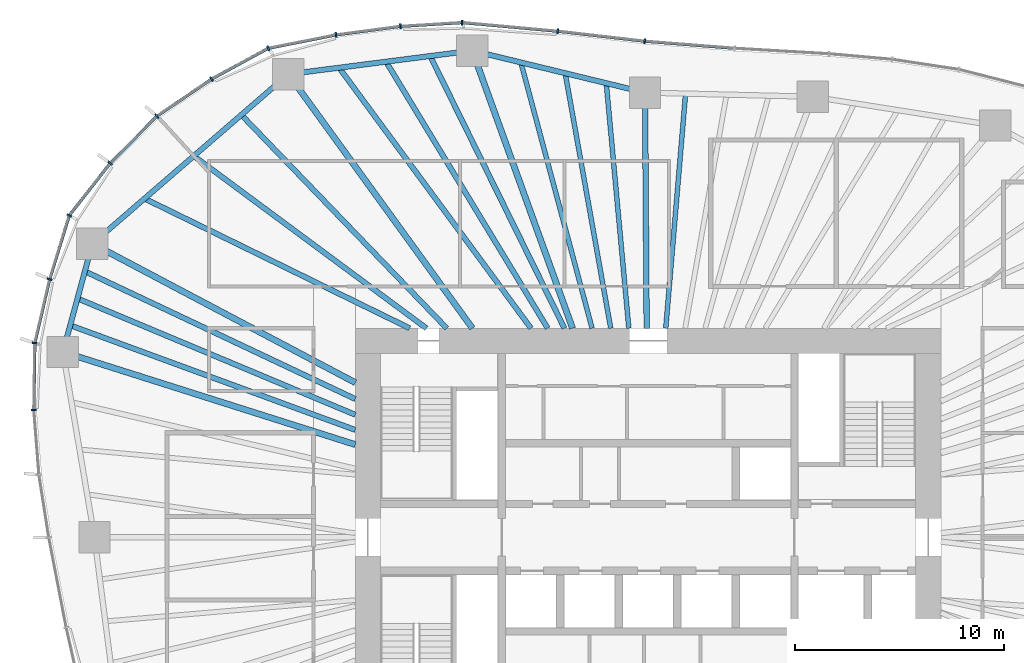
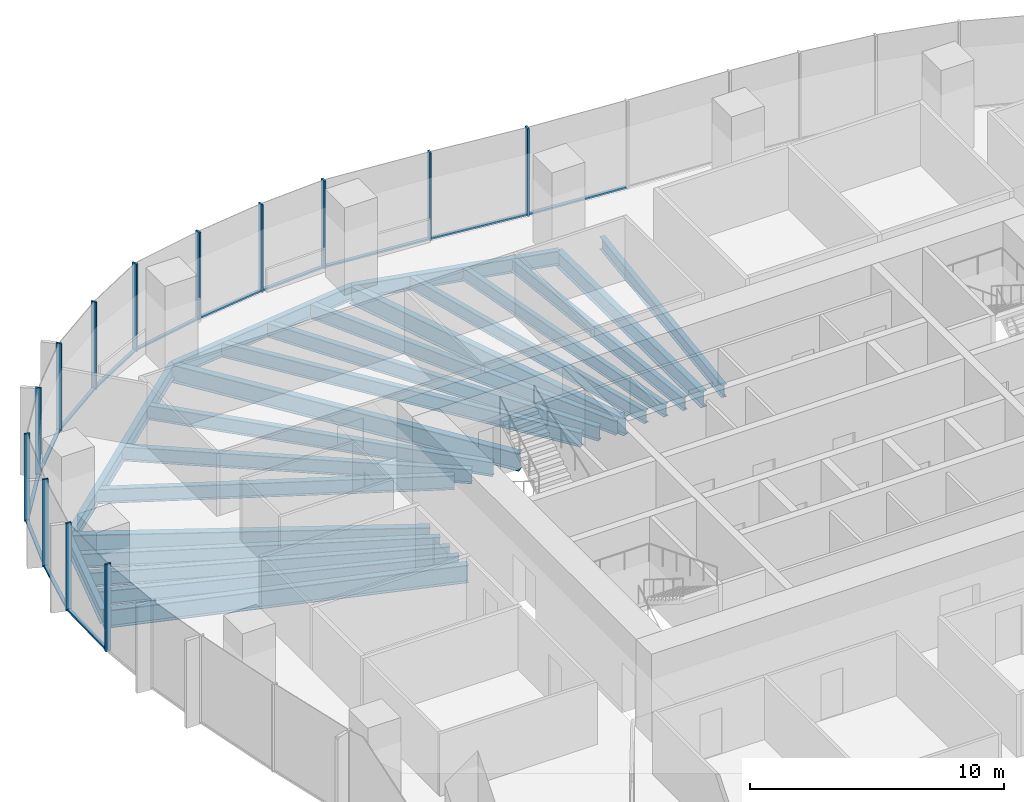
# One storey, part 5 of 18: 26 members, 22 beams, 6 elements without a shape of their own.
"""IFC4 building model written with IfcOpenShell, lengths in metres."""

from ifc_helpers import new_model, si_unit, direction, frame, origin, origin_2d, place, context, subcontext, project, spatial, rectangle, i_section, extrude, material, material_profile, profile_set, type_object, element, aggregate, save


model = new_model("IFC4")

# Units and contexts
model_context = context("Model", 3, precision=1e-05, world=origin(), true_north=direction((0.0, 1.0)))
body_context = subcontext(model_context, "Body", "Model", "MODEL_VIEW")
ifc_project = project(units=[si_unit("LENGTHUNIT", "METRE"), si_unit("AREAUNIT", "SQUARE_METRE"), si_unit("VOLUMEUNIT", "CUBIC_METRE"), si_unit("PLANEANGLEUNIT", "RADIAN"), si_unit("MASSUNIT", "GRAM", prefix="KILO")], contexts=[model_context])

# Site, building, storey
site_placement = place(None, origin())
site = spatial("IfcSite", under=ifc_project, at=site_placement, CompositionType="ELEMENT")
building_placement = place(site_placement, origin())
building = spatial("IfcBuilding", under=site, at=building_placement, Name="Ghaith Harvest Tower", CompositionType="ELEMENT")
storey_placement = place(building_placement, frame((0.0, 0.0, 126.0)))
storey = spatial("IfcBuildingStorey", under=building, at=storey_placement, Name="L26", CompositionType="ELEMENT", Elevation=126.0)

# Curtain wall, members
ifc_material_1 = material(Name="Black anodised aluminium and fritted glass", Category="aluminium")
curtain_wall_type = type_object("IfcCurtainWallType", Name="CW-L CURTAIN WALL", PredefinedType="NOTDEFINED", material=ifc_material_1)
curtain_wall_1_placement = place(storey_placement, origin())
curtain_wall_1 = element("IfcCurtainWall", 1, at=curtain_wall_1_placement, inside=storey, type_object=curtain_wall_type, Name="Curtain wall CW-L bay 06 L26", PredefinedType="NOTDEFINED")
ifc_material_2 = material(Name="Aluminium, black anodised", Category="aluminium")
ifc_material_profile_1 = material_profile(ifc_material_2, rectangle(XDim=0.080078125, YDim=0.239990234375, at=origin_2d()), Name="CW-L MULLION 80x240")
ifc_profile_set_1 = profile_set([ifc_material_profile_1], Name="Aluminium, black anodised")
member_type_1 = type_object("IfcMemberType", Name="CW-L MULLION 80x240", PredefinedType="MULLION", material=ifc_profile_set_1)
member_1_placement = place(storey_placement, frame((-0.162353515625, 23.729736328125, 0.0), z_axis=(0.0, 0.0, 1.0), x_axis=(-0.995388088953, 0.095929934691, 0.0)))
member_1 = element("IfcMember", 2, at=member_1_placement, type_object=member_type_1, Name="CW-L mullion 1 bay 06 L26", PredefinedType="MULLION", context=body_context, shape_type="SweptSolid", body=[
    extrude(rectangle(XDim=0.080078125, YDim=0.239990234375, at=origin_2d()), origin(), (0.0, 0.0, 1.0), 4.199951171875),
])
member_2_placement = place(storey_placement, frame((-4.322998046875, 24.207275390625, 0.0), z_axis=(0.0, 0.0, 1.0), x_axis=(-0.994830371571, 0.101550636625, 0.0)))
member_2 = element("IfcMember", 3, at=member_2_placement, type_object=member_type_1, Name="CW-L mullion 2 bay 06 L26", PredefinedType="MULLION", context=body_context, shape_type="SweptSolid", body=[
    extrude(rectangle(XDim=0.080078125, YDim=0.239990234375, at=origin_2d()), origin(), (0.0, 0.0, 1.0), 4.199951171875),
])

curtain_wall_2_placement = place(storey_placement, origin())
curtain_wall_2 = element("IfcCurtainWall", 4, at=curtain_wall_2_placement, inside=storey, type_object=curtain_wall_type, Name="Curtain wall CW-L bay 07 L26", PredefinedType="NOTDEFINED")
member_3_placement = place(storey_placement, frame((-8.892578125, 24.620849609375, 0.0), z_axis=(0.0, 0.0, 1.0), x_axis=(-0.999522209385, 0.030908784286, 0.0)))
member_3 = element("IfcMember", 5, at=member_3_placement, type_object=member_type_1, Name="CW-L mullion 1 bay 07 L26", PredefinedType="MULLION", context=body_context, shape_type="SweptSolid", body=[
    extrude(rectangle(XDim=0.080078125, YDim=0.239990234375, at=origin_2d()), origin(), (0.0, 0.0, 1.0), 4.199951171875),
])
member_4_placement = place(storey_placement, frame((-11.841064453125, 24.439697265625, 0.0), z_axis=(0.0, 0.0, 1.0), x_axis=(-0.995237520168, -0.097479630949, 0.0)))
member_4 = element("IfcMember", 6, at=member_4_placement, type_object=member_type_1, Name="CW-L mullion 2 bay 07 L26", PredefinedType="MULLION", context=body_context, shape_type="SweptSolid", body=[
    extrude(rectangle(XDim=0.080078125, YDim=0.239990234375, at=origin_2d()), origin(), (0.0, 0.0, 1.0), 4.199951171875),
])
member_5_placement = place(storey_placement, frame((-14.923828125, 24.030029296875, 0.0), z_axis=(0.0, 0.0, 1.0), x_axis=(-0.986494514812, -0.163794298578, 0.0)))
member_5 = element("IfcMember", 7, at=member_5_placement, type_object=member_type_1, Name="CW-L mullion 3 bay 07 L26", PredefinedType="MULLION", context=body_context, shape_type="SweptSolid", body=[
    extrude(rectangle(XDim=0.080078125, YDim=0.239990234375, at=origin_2d()), origin(), (0.0, 0.0, 1.0), 4.199951171875),
])

curtain_wall_3_placement = place(storey_placement, origin())
curtain_wall_3 = element("IfcCurtainWall", 8, at=curtain_wall_3_placement, inside=storey, type_object=curtain_wall_type, Name="Curtain wall CW-L bay 08 L26", PredefinedType="NOTDEFINED")
member_6_placement = place(storey_placement, frame((-18.165283203125, 23.3896484375, 0.0), z_axis=(0.0, 0.0, 1.0), x_axis=(-0.942103541202, -0.335322110298, 0.0)))
member_6 = element("IfcMember", 9, at=member_6_placement, type_object=member_type_1, Name="CW-L mullion 1 bay 08 L26", PredefinedType="MULLION", context=body_context, shape_type="SweptSolid", body=[
    extrude(rectangle(XDim=0.080078125, YDim=0.239990234375, at=origin_2d()), origin(), (0.0, 0.0, 1.0), 4.199951171875),
])
member_7_placement = place(storey_placement, frame((-20.87548828125, 21.91162109375, 0.0), z_axis=(0.0, 0.0, 1.0), x_axis=(-0.853515864435, -0.521066856707, 0.0)))
member_7 = element("IfcMember", 10, at=member_7_placement, type_object=member_type_1, Name="CW-L mullion 2 bay 08 L26", PredefinedType="MULLION", context=body_context, shape_type="SweptSolid", body=[
    extrude(rectangle(XDim=0.080078125, YDim=0.239990234375, at=origin_2d()), origin(), (0.0, 0.0, 1.0), 4.199951171875),
])
member_8_placement = place(storey_placement, frame((-23.489501953125, 20.13916015625, 0.0), z_axis=(0.0, 0.0, 1.0), x_axis=(-0.769682554376, -0.638426789451, 0.0)))
member_8 = element("IfcMember", 11, at=member_8_placement, type_object=member_type_1, Name="CW-L mullion 3 bay 08 L26", PredefinedType="MULLION", context=body_context, shape_type="SweptSolid", body=[
    extrude(rectangle(XDim=0.080078125, YDim=0.239990234375, at=origin_2d()), origin(), (0.0, 0.0, 1.0), 4.199951171875),
])

curtain_wall_4_placement = place(storey_placement, origin())
curtain_wall_4 = element("IfcCurtainWall", 12, at=curtain_wall_4_placement, inside=storey, type_object=curtain_wall_type, Name="Curtain wall CW-L bay 09 L26", PredefinedType="NOTDEFINED")
member_9_placement = place(storey_placement, frame((-25.718017578125, 17.894775390625, 0.0), z_axis=(0.0, 0.0, 1.0), x_axis=(-0.661903840688, -0.749588757708, 0.0)))
member_9 = element("IfcMember", 13, at=member_9_placement, type_object=member_type_1, Name="CW-L mullion 1 bay 09 L26", PredefinedType="MULLION", context=body_context, shape_type="SweptSolid", body=[
    extrude(rectangle(XDim=0.080078125, YDim=0.239990234375, at=origin_2d()), origin(), (0.0, 0.0, 1.0), 4.199951171875),
])
member_10_placement = place(storey_placement, frame((-27.67919921875, 15.39453125, 0.0), z_axis=(0.0, 0.0, 1.0), x_axis=(-0.462889784298, -0.886415843491, 0.0)))
member_10 = element("IfcMember", 14, at=member_10_placement, type_object=member_type_1, Name="CW-L mullion 2 bay 09 L26", PredefinedType="MULLION", context=body_context, shape_type="SweptSolid", body=[
    extrude(rectangle(XDim=0.080078125, YDim=0.239990234375, at=origin_2d()), origin(), (0.0, 0.0, 1.0), 4.199951171875),
])
member_11_placement = place(storey_placement, frame((-28.61669921875, 12.343994140625, 0.0), z_axis=(0.0, 0.0, 1.0), x_axis=(-0.260727312416, -0.965412486226, 0.0)))
member_11 = element("IfcMember", 15, at=member_11_placement, type_object=member_type_1, Name="CW-L mullion 3 bay 09 L26", PredefinedType="MULLION", context=body_context, shape_type="SweptSolid", body=[
    extrude(rectangle(XDim=0.080078125, YDim=0.239990234375, at=origin_2d()), origin(), (0.0, 0.0, 1.0), 4.199951171875),
])

curtain_wall_5_placement = place(storey_placement, origin())
curtain_wall_5 = element("IfcCurtainWall", 16, at=curtain_wall_5_placement, inside=storey, type_object=curtain_wall_type, Name="Curtain wall CW-L bay 10 L26", PredefinedType="NOTDEFINED")
member_12_placement = place(storey_placement, frame((-29.32666015625, 9.294189453125, 0.0), z_axis=(0.0, 0.0, 1.0), x_axis=(-0.120932140225, -0.99266077663, 0.0)))
member_12 = element("IfcMember", 17, at=member_12_placement, type_object=member_type_1, Name="CW-L mullion 1 bay 10 L26", PredefinedType="MULLION", context=body_context, shape_type="SweptSolid", body=[
    extrude(rectangle(XDim=0.080078125, YDim=0.239990234375, at=origin_2d()), origin(), (0.0, 0.0, 1.0), 4.199951171875),
])
member_13_placement = place(storey_placement, frame((-29.3779296875, 6.09619140625, 0.0), z_axis=(0.0, 0.0, 1.0), x_axis=(0.031027769448, -0.999518522851, 0.0)))
member_13 = element("IfcMember", 18, at=member_13_placement, type_object=member_type_1, Name="CW-L mullion 2 bay 10 L26", PredefinedType="MULLION", context=body_context, shape_type="SweptSolid", body=[
    extrude(rectangle(XDim=0.080078125, YDim=0.239990234375, at=origin_2d()), origin(), (0.0, 0.0, 1.0), 4.199951171875),
])

# Curtain wall, member
curtain_wall_6_placement = place(storey_placement, origin())
curtain_wall_6 = element("IfcCurtainWall", 19, at=curtain_wall_6_placement, inside=storey, type_object=curtain_wall_type, Name="Curtain wall CW-L bay 05 L26", PredefinedType="NOTDEFINED")
ifc_material_3 = material(Name="Aluminium, black anodised", Category="aluminium")
ifc_material_profile_2 = material_profile(ifc_material_3, rectangle(XDim=0.14990234375, YDim=0.080078125, at=origin_2d()), Name="CW-L TRANSOM 150x80")
ifc_profile_set_2 = profile_set([ifc_material_profile_2], Name="Aluminium, black anodised")
member_type_2 = type_object("IfcMemberType", Name="CW-L TRANSOM 150x80", PredefinedType="USERDEFINED", material=ifc_profile_set_2)
member_14_placement = place(storey_placement, frame((4.106689453125, 23.39404296875, 0.0400390625), z_axis=(-0.996923406046, 0.078381901463, 0.0), x_axis=(-0.078381901463, -0.996923406046, 0.0)))
member_14 = element("IfcMember", 20, at=member_14_placement, type_object=member_type_2, Name="CW-L transom 2 bay 05 L26", ObjectType="TRANSOM", PredefinedType="USERDEFINED", context=body_context, shape_type="SweptSolid", body=[
    extrude(rectangle(XDim=0.14990234375, YDim=0.080078125, at=origin_2d()), origin(), (0.0, 0.0, 1.0), 4.2421875),
])
aggregate(curtain_wall_6, [member_14])

# Member
member_15_placement = place(storey_placement, frame((-0.2021484375, 23.734130859375, 0.0400390625), z_axis=(-0.993474883942, 0.114051106861, 0.0), x_axis=(-0.114051106861, -0.993474883942, 0.0)))
member_15 = element("IfcMember", 21, at=member_15_placement, type_object=member_type_2, Name="CW-L transom 1 bay 06 L26", ObjectType="TRANSOM", PredefinedType="USERDEFINED", context=body_context, shape_type="SweptSolid", body=[
    extrude(rectangle(XDim=0.14990234375, YDim=0.080078125, at=origin_2d()), origin(), (0.0, 0.0, 1.0), 4.10791015625),
])

member_16_placement = place(storey_placement, frame((-4.36279296875, 24.210693359375, 0.0400390625), z_axis=(-0.995926431676, 0.090169521954, 0.0), x_axis=(-0.090169521954, -0.995926431676, 0.0)))
member_16 = element("IfcMember", 22, at=member_16_placement, type_object=member_type_2, Name="CW-L transom 2 bay 06 L26", ObjectType="TRANSOM", PredefinedType="USERDEFINED", context=body_context, shape_type="SweptSolid", body=[
    extrude(rectangle(XDim=0.14990234375, YDim=0.080078125, at=origin_2d()), origin(), (0.0, 0.0, 1.0), 4.508056640625),
])

aggregate(curtain_wall_1, [member_1, member_15, member_2, member_16])

member_17_placement = place(storey_placement, frame((-8.932373046875, 24.618408203125, 0.0400390625), z_axis=(-0.998117793577, -0.061325933705, 0.0), x_axis=(0.061325933705, -0.998117793577, 0.0)))
member_17 = element("IfcMember", 23, at=member_17_placement, type_object=member_type_2, Name="CW-L transom 1 bay 07 L26", ObjectType="TRANSOM", PredefinedType="USERDEFINED", context=body_context, shape_type="SweptSolid", body=[
    extrude(rectangle(XDim=0.14990234375, YDim=0.080078125, at=origin_2d()), origin(), (0.0, 0.0, 1.0), 2.874267578125),
])

member_18_placement = place(storey_placement, frame((-11.880859375, 24.434326171875, 0.0400390625), z_axis=(-0.991293929443, -0.131667556553, 0.0), x_axis=(0.131667556553, -0.991293929443, 0.0)))
member_18 = element("IfcMember", 24, at=member_18_placement, type_object=member_type_2, Name="CW-L transom 2 bay 07 L26", ObjectType="TRANSOM", PredefinedType="USERDEFINED", context=body_context, shape_type="SweptSolid", body=[
    extrude(rectangle(XDim=0.14990234375, YDim=0.080078125, at=origin_2d()), origin(), (0.0, 0.0, 1.0), 3.02978515625),
])

member_19_placement = place(storey_placement, frame((-14.963134765625, 24.022216796875, 0.0400390625), z_axis=(-0.98104391994, -0.19378551842, 0.0), x_axis=(0.19378551842, -0.98104391994, 0.0)))
member_19 = element("IfcMember", 25, at=member_19_placement, type_object=member_type_2, Name="CW-L transom 3 bay 07 L26", ObjectType="TRANSOM", PredefinedType="USERDEFINED", context=body_context, shape_type="SweptSolid", body=[
    extrude(rectangle(XDim=0.14990234375, YDim=0.080078125, at=origin_2d()), origin(), (0.0, 0.0, 1.0), 3.223876953125),
])

aggregate(curtain_wall_2, [member_3, member_17, member_4, member_18, member_5, member_19])

member_20_placement = place(storey_placement, frame((-18.200439453125, 23.37060546875, 0.0400390625), z_axis=(-0.877929702377, -0.478789554695, 0.0), x_axis=(0.478789554695, -0.877929702377, 0.0)))
member_20 = element("IfcMember", 26, at=member_20_placement, type_object=member_type_2, Name="CW-L transom 1 bay 08 L26", ObjectType="TRANSOM", PredefinedType="USERDEFINED", context=body_context, shape_type="SweptSolid", body=[
    extrude(rectangle(XDim=0.14990234375, YDim=0.080078125, at=origin_2d()), origin(), (0.0, 0.0, 1.0), 3.0068359375),
])

member_21_placement = place(storey_placement, frame((-20.908447265625, 21.88916015625, 0.0400390625), z_axis=(-0.827681025079, -0.561198824593, 0.0), x_axis=(0.561198824593, -0.827681025079, 0.0)))
member_21 = element("IfcMember", 27, at=member_21_placement, type_object=member_type_2, Name="CW-L transom 2 bay 08 L26", ObjectType="TRANSOM", PredefinedType="USERDEFINED", context=body_context, shape_type="SweptSolid", body=[
    extrude(rectangle(XDim=0.14990234375, YDim=0.080078125, at=origin_2d()), origin(), (0.0, 0.0, 1.0), 3.078369140625),
])

member_22_placement = place(storey_placement, frame((-23.517578125, 20.11083984375, 0.0400390625), z_axis=(-0.704647577514, -0.709557461735, 0.0), x_axis=(0.709557461735, -0.704647577514, 0.0)))
member_22 = element("IfcMember", 28, at=member_22_placement, type_object=member_type_2, Name="CW-L transom 3 bay 08 L26", ObjectType="TRANSOM", PredefinedType="USERDEFINED", context=body_context, shape_type="SweptSolid", body=[
    extrude(rectangle(XDim=0.14990234375, YDim=0.080078125, at=origin_2d()), origin(), (0.0, 0.0, 1.0), 3.0830078125),
])

aggregate(curtain_wall_3, [member_6, member_20, member_7, member_21, member_8, member_22])

member_23_placement = place(storey_placement, frame((-25.74267578125, 17.86328125, 0.0400390625), z_axis=(-0.617198298797, -0.786807638474, 0.0), x_axis=(0.786807638474, -0.617198298797, 0.0)))
member_23 = element("IfcMember", 29, at=member_23_placement, type_object=member_type_2, Name="CW-L transom 1 bay 09 L26", ObjectType="TRANSOM", PredefinedType="USERDEFINED", context=body_context, shape_type="SweptSolid", body=[
    extrude(rectangle(XDim=0.14990234375, YDim=0.080078125, at=origin_2d()), origin(), (0.0, 0.0, 1.0), 3.09765625),
])

member_24_placement = place(storey_placement, frame((-27.69091796875, 15.356201171875, 0.0400390625), z_axis=(-0.293777058804, -0.955873966441, 0.0), x_axis=(0.955873966441, -0.293777058804, 0.0)))
member_24 = element("IfcMember", 30, at=member_24_placement, type_object=member_type_2, Name="CW-L transom 2 bay 09 L26", ObjectType="TRANSOM", PredefinedType="USERDEFINED", context=body_context, shape_type="SweptSolid", body=[
    extrude(rectangle(XDim=0.14990234375, YDim=0.080078125, at=origin_2d()), origin(), (0.0, 0.0, 1.0), 3.111328125),
])

member_25_placement = place(storey_placement, frame((-28.6259765625, 12.304931640625, 0.0400390625), z_axis=(-0.226670598607, -0.973971477882, 0.0), x_axis=(0.973971477882, -0.226670598607, 0.0)))
member_25 = element("IfcMember", 31, at=member_25_placement, type_object=member_type_2, Name="CW-L transom 3 bay 09 L26", ObjectType="TRANSOM", PredefinedType="USERDEFINED", context=body_context, shape_type="SweptSolid", body=[
    extrude(rectangle(XDim=0.14990234375, YDim=0.080078125, at=origin_2d()), origin(), (0.0, 0.0, 1.0), 3.05126953125),
])

aggregate(curtain_wall_4, [member_9, member_23, member_10, member_24, member_11, member_25])

member_26_placement = place(storey_placement, frame((-29.327392578125, 9.254150390625, 0.0400390625), z_axis=(-0.015971652868, -0.999872445017, 0.0), x_axis=(0.999872445017, -0.015971652868, 0.0)))
member_26 = element("IfcMember", 32, at=member_26_placement, type_object=member_type_2, Name="CW-L transom 1 bay 10 L26", ObjectType="TRANSOM", PredefinedType="USERDEFINED", context=body_context, shape_type="SweptSolid", body=[
    extrude(rectangle(XDim=0.14990234375, YDim=0.080078125, at=origin_2d()), origin(), (0.0, 0.0, 1.0), 3.118408203125),
])

aggregate(curtain_wall_5, [member_12, member_26, member_13])

# Beams
ifc_material_4 = material(Name="Steel ASTM A992 Grade 50", Category="steel")
ifc_material_profile_3 = material_profile(ifc_material_4, i_section(OverallWidth=0.25390625, OverallDepth=0.68408203125, WebThickness=0.012451171875, FlangeThickness=0.018798828125, at=origin_2d()), Name="W690X140")
ifc_profile_set_3 = profile_set([ifc_material_profile_3], Name="Steel ASTM A992 Grade 50")
beam_type_1 = type_object("IfcBeamType", Name="E690-140 W690X140", PredefinedType="SPANDREL", material=ifc_profile_set_3)
beam_1_placement = place(storey_placement, frame((-0.14599609375, 21.27099609375, -0.511962890625), z_axis=(-0.971790293477, 0.235846614358, 0.0), x_axis=(-0.235846614358, -0.971790293477, 0.0)))
element("IfcBeam", 33, at=beam_1_placement, inside=storey, type_object=beam_type_1, Name="Edge beam E06 L26", PredefinedType="SPANDREL", context=body_context, shape_type="SweptSolid", body=[
    extrude(i_section(OverallWidth=0.25390625, OverallDepth=0.68408203125, WebThickness=0.012451171875, FlangeThickness=0.018798828125, at=origin_2d()), origin(), (0.0, 0.0, 1.0), 8.500732421875),
])
beam_2_placement = place(storey_placement, frame((-8.406982421875, 23.27587890625, -0.511962890625), z_axis=(-0.991904090065, -0.126989275577, 0.0), x_axis=(0.126989275577, -0.991904090065, 0.0)))
element("IfcBeam", 34, at=beam_2_placement, inside=storey, type_object=beam_type_1, Name="Edge beam E07 L26", PredefinedType="SPANDREL", context=body_context, shape_type="SweptSolid", body=[
    extrude(i_section(OverallWidth=0.25390625, OverallDepth=0.68408203125, WebThickness=0.012451171875, FlangeThickness=0.018798828125, at=origin_2d()), origin(), (0.0, 0.0, 1.0), 8.86669921875),
])
beam_3_placement = place(storey_placement, frame((-17.201904296875, 22.14990234375, -0.511962890625), z_axis=(-0.756392158274, -0.654118416574, 0.0), x_axis=(0.654118416574, -0.756392158274, 0.0)))
element("IfcBeam", 35, at=beam_3_placement, inside=storey, type_object=beam_type_1, Name="Edge beam E08 L26", PredefinedType="SPANDREL", context=body_context, shape_type="SweptSolid", body=[
    extrude(i_section(OverallWidth=0.25390625, OverallDepth=0.68408203125, WebThickness=0.012451171875, FlangeThickness=0.018798828125, at=origin_2d()), origin(), (0.0, 0.0, 1.0), 12.38916015625),
])
beam_4_placement = place(storey_placement, frame((-26.572998046875, 14.0458984375, -0.511962890625), z_axis=(-0.262724740433, -0.964870825947, 0.0), x_axis=(0.964870825947, -0.262724740433, 0.0)))
element("IfcBeam", 36, at=beam_4_placement, inside=storey, type_object=beam_type_1, Name="Edge beam E09 L26", PredefinedType="SPANDREL", context=body_context, shape_type="SweptSolid", body=[
    extrude(i_section(OverallWidth=0.25390625, OverallDepth=0.68408203125, WebThickness=0.012451171875, FlangeThickness=0.018798828125, at=origin_2d()), origin(), (0.0, 0.0, 1.0), 5.366455078125),
])
ifc_material_5 = material(Name="Steel ASTM A992 Grade 50", Category="steel")
ifc_material_profile_4 = material_profile(ifc_material_5, i_section(OverallWidth=0.26806640625, OverallDepth=0.77001953125, WebThickness=0.015625, FlangeThickness=0.025390625, at=origin_2d()), Name="W760X196")
ifc_profile_set_4 = profile_set([ifc_material_profile_4], Name="Steel ASTM A992 Grade 50")
beam_type_2 = type_object("IfcBeamType", Name="G760-196 W760X196", PredefinedType="BEAM", material=ifc_profile_set_4)
beam_5_placement = place(storey_placement, frame((-0.068359375, 10.0, -0.554931640625), z_axis=(-0.006888022705, 0.99997627729, 0.0), x_axis=(-0.99997627729, -0.006888022705, 0.0)))
element("IfcBeam", 37, at=beam_5_placement, inside=storey, type_object=beam_type_2, Name="Radial girder G06 L26", PredefinedType="BEAM", context=body_context, shape_type="SweptSolid", body=[
    extrude(i_section(OverallWidth=0.26806640625, OverallDepth=0.77001953125, WebThickness=0.015625, FlangeThickness=0.025390625, at=origin_2d()), origin(), (0.0, 0.0, 1.0), 11.271240234375),
])
ifc_material_6 = material(Name="Steel ASTM A992 Grade 50", Category="steel")
ifc_material_profile_5 = material_profile(ifc_material_6, i_section(OverallWidth=0.2939453125, OverallDepth=0.85107421875, WebThickness=0.01611328125, FlangeThickness=0.02685546875, at=origin_2d()), Name="W840X226")
ifc_profile_set_5 = profile_set([ifc_material_profile_5], Name="Steel ASTM A992 Grade 50")
beam_type_3 = type_object("IfcBeamType", Name="G840-226 W840X226", PredefinedType="BEAM", material=ifc_profile_set_5)
beam_6_placement = place(storey_placement, frame((-3.61181640625, 10.0, -0.595458984375), z_axis=(-0.339713316819, 0.940529033245, 0.0), x_axis=(-0.940529033245, -0.339713316819, 0.0)))
element("IfcBeam", 38, at=beam_6_placement, inside=storey, type_object=beam_type_3, Name="Radial girder G07 L26", PredefinedType="BEAM", context=body_context, shape_type="SweptSolid", body=[
    extrude(i_section(OverallWidth=0.2939453125, OverallDepth=0.85107421875, WebThickness=0.01611328125, FlangeThickness=0.02685546875, at=origin_2d()), origin(), (0.0, 0.0, 1.0), 14.115234375),
])
beam_7_placement = place(storey_placement, frame((-8.39990234375, 10.0, -0.595458984375), z_axis=(-0.586675813287, 0.809821887889, 0.0), x_axis=(-0.809821887889, -0.586675813287, 0.0)))
element("IfcBeam", 39, at=beam_7_placement, inside=storey, type_object=beam_type_3, Name="Radial girder G08 L26", PredefinedType="BEAM", context=body_context, shape_type="SweptSolid", body=[
    extrude(i_section(OverallWidth=0.2939453125, OverallDepth=0.85107421875, WebThickness=0.01611328125, FlangeThickness=0.02685546875, at=origin_2d()), origin(), (0.0, 0.0, 1.0), 15.003173828125),
])
beam_8_placement = place(storey_placement, frame((-14.0, 7.39990234375, -0.595458984375), z_axis=(-0.88408713845, 0.467322085533, 0.0), x_axis=(-0.467322085533, -0.88408713845, 0.0)))
element("IfcBeam", 40, at=beam_8_placement, inside=storey, type_object=beam_type_3, Name="Radial girder G09 L26", PredefinedType="BEAM", context=body_context, shape_type="SweptSolid", body=[
    extrude(i_section(OverallWidth=0.2939453125, OverallDepth=0.85107421875, WebThickness=0.01611328125, FlangeThickness=0.02685546875, at=origin_2d()), origin(), (0.0, 0.0, 1.0), 14.221435546875),
])
beam_9_placement = place(storey_placement, frame((-14.0, 4.43701171875, -0.595458984375), z_axis=(-0.953283605796, 0.302076756671, 0.0), x_axis=(-0.302076756671, -0.953283605796, 0.0)))
element("IfcBeam", 41, at=beam_9_placement, inside=storey, type_object=beam_type_3, Name="Radial girder G10 L26", PredefinedType="BEAM", context=body_context, shape_type="SweptSolid", body=[
    extrude(i_section(OverallWidth=0.2939453125, OverallDepth=0.85107421875, WebThickness=0.01611328125, FlangeThickness=0.02685546875, at=origin_2d()), origin(), (0.0, 0.0, 1.0), 14.668212890625),
])
ifc_material_7 = material(Name="Steel ASTM A992 Grade 50", Category="steel")
ifc_material_profile_6 = material_profile(ifc_material_7, i_section(OverallWidth=0.22900390625, OverallDepth=0.612060546875, WebThickness=0.011962890625, FlangeThickness=0.01953125, at=origin_2d()), Name="W610X125")
ifc_profile_set_6 = profile_set([ifc_material_profile_6], Name="Steel ASTM A992 Grade 50")
beam_type_4 = type_object("IfcBeamType", Name="J610-125 W610X125", PredefinedType="JOIST", material=ifc_profile_set_6)
beam_10_placement = place(storey_placement, frame((0.844970703125, 10.0, -0.47607421875), z_axis=(0.084213263804, 0.996447753873, 0.0), x_axis=(-0.996447753873, 0.084213263804, 0.0)))
element("IfcBeam", 42, at=beam_10_placement, inside=storey, type_object=beam_type_4, Name="Joist J05.3 L26", PredefinedType="JOIST", context=body_context, shape_type="SweptSolid", body=[
    extrude(i_section(OverallWidth=0.22900390625, OverallDepth=0.612060546875, WebThickness=0.011962890625, FlangeThickness=0.01953125, at=origin_2d()), origin(), (0.0, 0.0, 1.0), 11.262939453125),
])
beam_11_placement = place(storey_placement, frame((-0.92041015625, 10.0, -0.47607421875), z_axis=(-0.091659676302, 0.995790391468, 0.0), x_axis=(-0.995790391468, -0.091659676302, 0.0)))
element("IfcBeam", 43, at=beam_11_placement, inside=storey, type_object=beam_type_4, Name="Joist J06.1 L26", PredefinedType="JOIST", context=body_context, shape_type="SweptSolid", body=[
    extrude(i_section(OverallWidth=0.22900390625, OverallDepth=0.612060546875, WebThickness=0.011962890625, FlangeThickness=0.01953125, at=origin_2d()), origin(), (0.0, 0.0, 1.0), 11.770263671875),
])
beam_12_placement = place(storey_placement, frame((-1.785888671875, 10.0, -0.47607421875), z_axis=(-0.175794730188, 0.984426844838, 0.0), x_axis=(-0.984426844838, -0.175794730188, 0.0)))
element("IfcBeam", 44, at=beam_12_placement, inside=storey, type_object=beam_type_4, Name="Joist J06.2 L26", PredefinedType="JOIST", context=body_context, shape_type="SweptSolid", body=[
    extrude(i_section(OverallWidth=0.22900390625, OverallDepth=0.612060546875, WebThickness=0.011962890625, FlangeThickness=0.01953125, at=origin_2d()), origin(), (0.0, 0.0, 1.0), 12.390625),
])
beam_13_placement = place(storey_placement, frame((-2.677978515625, 10.0, -0.47607421875), z_axis=(-0.258692500157, 0.965959725021, 0.0), x_axis=(-0.965959725021, -0.258692500157, 0.0)))
element("IfcBeam", 45, at=beam_13_placement, inside=storey, type_object=beam_type_4, Name="Joist J06.3 L26", PredefinedType="JOIST", context=body_context, shape_type="SweptSolid", body=[
    extrude(i_section(OverallWidth=0.22900390625, OverallDepth=0.612060546875, WebThickness=0.011962890625, FlangeThickness=0.01953125, at=origin_2d()), origin(), (0.0, 0.0, 1.0), 13.15966796875),
])
ifc_material_8 = material(Name="Steel ASTM A992 Grade 50", Category="steel")
ifc_material_profile_7 = material_profile(ifc_material_8, i_section(OverallWidth=0.25390625, OverallDepth=0.68408203125, WebThickness=0.012451171875, FlangeThickness=0.018798828125, at=origin_2d()), Name="W690X140")
ifc_profile_set_7 = profile_set([ifc_material_profile_7], Name="Steel ASTM A992 Grade 50")
beam_type_5 = type_object("IfcBeamType", Name="J690-140 W690X140", PredefinedType="JOIST", material=ifc_profile_set_7)
beam_14_placement = place(storey_placement, frame((-4.0, 10.0, -0.511962890625), z_axis=(-0.442214455448, 0.896909346251, 0.0), x_axis=(-0.896909346251, -0.442214455448, 0.0)))
element("IfcBeam", 46, at=beam_14_placement, inside=storey, type_object=beam_type_5, Name="Joist J07.1 L26", PredefinedType="JOIST", context=body_context, shape_type="SweptSolid", body=[
    extrude(i_section(OverallWidth=0.25390625, OverallDepth=0.68408203125, WebThickness=0.012451171875, FlangeThickness=0.018798828125, at=origin_2d()), origin(), (0.0, 0.0, 1.0), 14.514892578125),
])
beam_15_placement = place(storey_placement, frame((-4.800048828125, 10.0, -0.511962890625), z_axis=(-0.51847337083, 0.855093774822, 0.0), x_axis=(-0.855093774822, -0.51847337083, 0.0)))
element("IfcBeam", 47, at=beam_15_placement, inside=storey, type_object=beam_type_5, Name="Joist J07.2 L26", PredefinedType="JOIST", context=body_context, shape_type="SweptSolid", body=[
    extrude(i_section(OverallWidth=0.25390625, OverallDepth=0.68408203125, WebThickness=0.012451171875, FlangeThickness=0.018798828125, at=origin_2d()), origin(), (0.0, 0.0, 1.0), 14.90869140625),
])
beam_16_placement = place(storey_placement, frame((-5.60009765625, 10.0, -0.511962890625), z_axis=(-0.592984827174, 0.805213632983, 0.0), x_axis=(-0.805213632983, -0.592984827174, 0.0)))
element("IfcBeam", 48, at=beam_16_placement, inside=storey, type_object=beam_type_5, Name="Joist J07.3 L26", PredefinedType="JOIST", context=body_context, shape_type="SweptSolid", body=[
    extrude(i_section(OverallWidth=0.25390625, OverallDepth=0.68408203125, WebThickness=0.012451171875, FlangeThickness=0.018798828125, at=origin_2d()), origin(), (0.0, 0.0, 1.0), 15.474609375),
])
beam_17_placement = place(storey_placement, frame((-9.626708984375, 10.0, -0.511962890625), z_axis=(-0.693535693616, 0.720422266231, 0.0), x_axis=(-0.720422266231, -0.693535693616, 0.0)))
element("IfcBeam", 49, at=beam_17_placement, inside=storey, type_object=beam_type_5, Name="Joist J08.1 L26", PredefinedType="JOIST", context=body_context, shape_type="SweptSolid", body=[
    extrude(i_section(OverallWidth=0.25390625, OverallDepth=0.68408203125, WebThickness=0.012451171875, FlangeThickness=0.018798828125, at=origin_2d()), origin(), (0.0, 0.0, 1.0), 14.16552734375),
])
beam_18_placement = place(storey_placement, frame((-10.60009765625, 10.0, -0.511962890625), z_axis=(-0.803663089107, 0.595084564752, 0.0), x_axis=(-0.595084564752, -0.803663089107, 0.0)))
element("IfcBeam", 50, at=beam_18_placement, inside=storey, type_object=beam_type_5, Name="Joist J08.2 L26", PredefinedType="JOIST", context=body_context, shape_type="SweptSolid", body=[
    extrude(i_section(OverallWidth=0.25390625, OverallDepth=0.68408203125, WebThickness=0.012451171875, FlangeThickness=0.018798828125, at=origin_2d()), origin(), (0.0, 0.0, 1.0), 13.843505859375),
])
beam_19_placement = place(storey_placement, frame((-11.39990234375, 10.0, -0.511962890625), z_axis=(-0.898274832354, 0.439434096946, 0.0), x_axis=(-0.439434096946, -0.898274832354, 0.0)))
element("IfcBeam", 51, at=beam_19_placement, inside=storey, type_object=beam_type_5, Name="Joist J08.3 L26", PredefinedType="JOIST", context=body_context, shape_type="SweptSolid", body=[
    extrude(i_section(OverallWidth=0.25390625, OverallDepth=0.68408203125, WebThickness=0.012451171875, FlangeThickness=0.018798828125, at=origin_2d()), origin(), (0.0, 0.0, 1.0), 14.114990234375),
])
beam_20_placement = place(storey_placement, frame((-14.0, 6.614990234375, -0.511962890625), z_axis=(-0.904153428261, 0.427207886354, 0.0), x_axis=(-0.427207886354, -0.904153428261, 0.0)))
element("IfcBeam", 52, at=beam_20_placement, inside=storey, type_object=beam_type_5, Name="Joist J09.1 L26", PredefinedType="JOIST", context=body_context, shape_type="SweptSolid", body=[
    extrude(i_section(OverallWidth=0.25390625, OverallDepth=0.68408203125, WebThickness=0.012451171875, FlangeThickness=0.018798828125, at=origin_2d()), origin(), (0.0, 0.0, 1.0), 14.303466796875),
])
beam_21_placement = place(storey_placement, frame((-14.0, 5.862548828125, -0.511962890625), z_axis=(-0.922385943167, 0.38626955853, 0.0), x_axis=(-0.38626955853, -0.922385943167, 0.0)))
element("IfcBeam", 53, at=beam_21_placement, inside=storey, type_object=beam_type_5, Name="Joist J09.2 L26", PredefinedType="JOIST", context=body_context, shape_type="SweptSolid", body=[
    extrude(i_section(OverallWidth=0.25390625, OverallDepth=0.68408203125, WebThickness=0.012451171875, FlangeThickness=0.018798828125, at=origin_2d()), origin(), (0.0, 0.0, 1.0), 14.404296875),
])
beam_22_placement = place(storey_placement, frame((-14.0, 5.137939453125, -0.511962890625), z_axis=(-0.93877541132, 0.344529718748, 0.0), x_axis=(-0.344529718748, -0.93877541132, 0.0)))
element("IfcBeam", 54, at=beam_22_placement, inside=storey, type_object=beam_type_5, Name="Joist J09.3 L26", PredefinedType="JOIST", context=body_context, shape_type="SweptSolid", body=[
    extrude(i_section(OverallWidth=0.25390625, OverallDepth=0.68408203125, WebThickness=0.012451171875, FlangeThickness=0.018798828125, at=origin_2d()), origin(), (0.0, 0.0, 1.0), 14.525390625),
])

save(model, "model.ifc")
